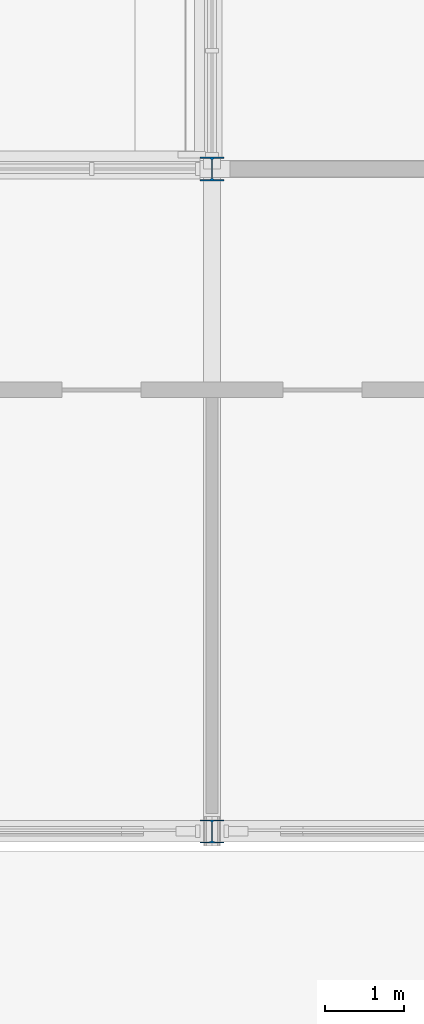
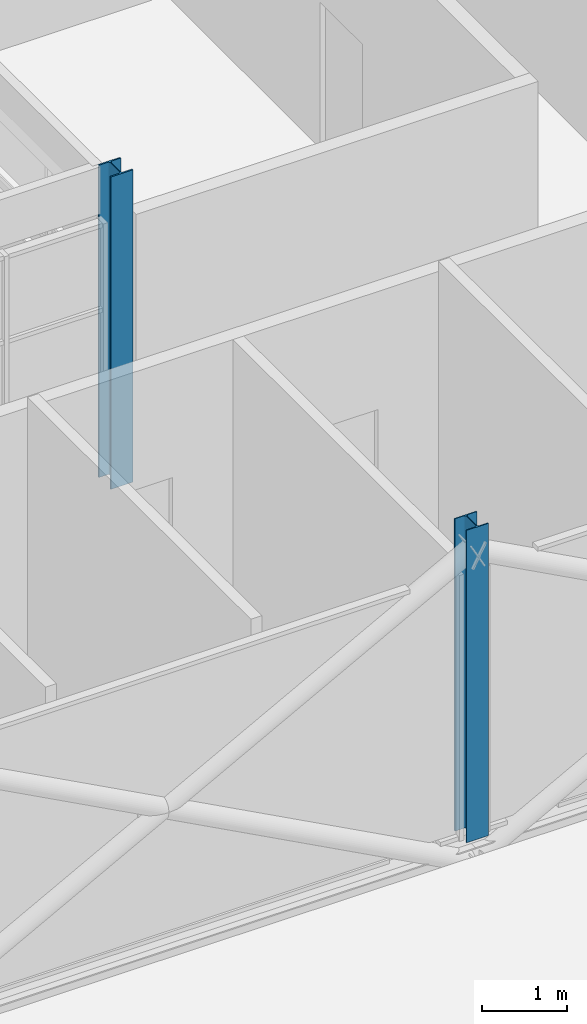
# One storey, part 10 of 116: 2 columns.
"""IFC4 building model written with IfcOpenShell, lengths in metres."""

from ifc_helpers import new_model, si_unit, direction, frame, origin, origin_2d, place, context, subcontext, project, spatial, i_section, extrude, material, material_profile, profile_set, type_object, element, save


model = new_model("IFC4")

# Units and contexts
model_context = context("Model", 3, precision=1e-05, world=origin(), true_north=direction((0.0, 1.0)))
body_context = subcontext(model_context, "Body", "Model", "MODEL_VIEW")
ifc_project = project(units=[si_unit("LENGTHUNIT", "METRE"), si_unit("AREAUNIT", "SQUARE_METRE"), si_unit("VOLUMEUNIT", "CUBIC_METRE"), si_unit("PLANEANGLEUNIT", "RADIAN"), si_unit("MASSUNIT", "GRAM", prefix="KILO")], contexts=[model_context])

# Site, building, storey
site_placement = place(None, origin())
site = spatial("IfcSite", under=ifc_project, at=site_placement, CompositionType="ELEMENT")
building_placement = place(site_placement, origin())
building = spatial("IfcBuilding", under=site, at=building_placement, Name="Ardhachandra Cancer Care Centre", CompositionType="ELEMENT")
storey_placement = place(building_placement, origin())
storey = spatial("IfcBuildingStorey", under=building, at=storey_placement, Name="L00", CompositionType="ELEMENT", Elevation=0.0)

# Columns
ifc_material_1 = material(Name="Steel E350 (IS 2062)", Category="steel")
ifc_material_profile_1 = material_profile(ifc_material_1, i_section(OverallWidth=0.300048828125, OverallDepth=0.300048828125, WebThickness=0.010986328125, FlangeThickness=0.01904296875, FilletRadius=0.027099609375, at=origin_2d()), Name="WPB 300x300x117.03")
ifc_profile_set_1 = profile_set([ifc_material_profile_1], Name="Steel E350 (IS 2062)")
column_type_1 = type_object("IfcColumnType", Name="Column WPB 300x300x117.03", PredefinedType="COLUMN", material=ifc_profile_set_1)
column_1_placement = place(storey_placement, frame((128.39990234375, 37.800048828125, 0.0), z_axis=(0.0, 0.0, 1.0), x_axis=(1.0, 0.0, 0.0)))
element("IfcColumn", 1, at=column_1_placement, inside=storey, type_object=column_type_1, Name="Column D15 L00", PredefinedType="COLUMN", context=body_context, shape_type="SweptSolid", body=[
    extrude(i_section(OverallWidth=0.300048828125, OverallDepth=0.300048828125, WebThickness=0.010986328125, FlangeThickness=0.01904296875, FilletRadius=0.027099609375, at=origin_2d()), origin(), (0.0, 0.0, 1.0), 4.5),
])
ifc_material_2 = material(Name="Steel E350 (IS 2062)", Category="steel")
ifc_material_profile_2 = material_profile(ifc_material_2, i_section(OverallWidth=0.300048828125, OverallDepth=0.2900390625, WebThickness=0.008544921875, FlangeThickness=0.013916015625, FilletRadius=0.027099609375, at=origin_2d()), Name="WPB 300x300x88.33")
ifc_profile_set_2 = profile_set([ifc_material_profile_2], Name="Steel E350 (IS 2062)")
column_type_2 = type_object("IfcColumnType", Name="Column WPB 300x300x88.33", PredefinedType="COLUMN", material=ifc_profile_set_2)
column_2_placement = place(storey_placement, frame((128.39990234375, 29.39990234375, 0.0), z_axis=(0.0, 0.0, 1.0), x_axis=(1.0, 0.0, 0.0)))
element("IfcColumn", 2, at=column_2_placement, inside=storey, type_object=column_type_2, Name="Column C15 L00", PredefinedType="COLUMN", context=body_context, shape_type="SweptSolid", body=[
    extrude(i_section(OverallWidth=0.300048828125, OverallDepth=0.2900390625, WebThickness=0.008544921875, FlangeThickness=0.013916015625, FilletRadius=0.027099609375, at=origin_2d()), origin(), (0.0, 0.0, 1.0), 4.5),
])

save(model, "model.ifc")
